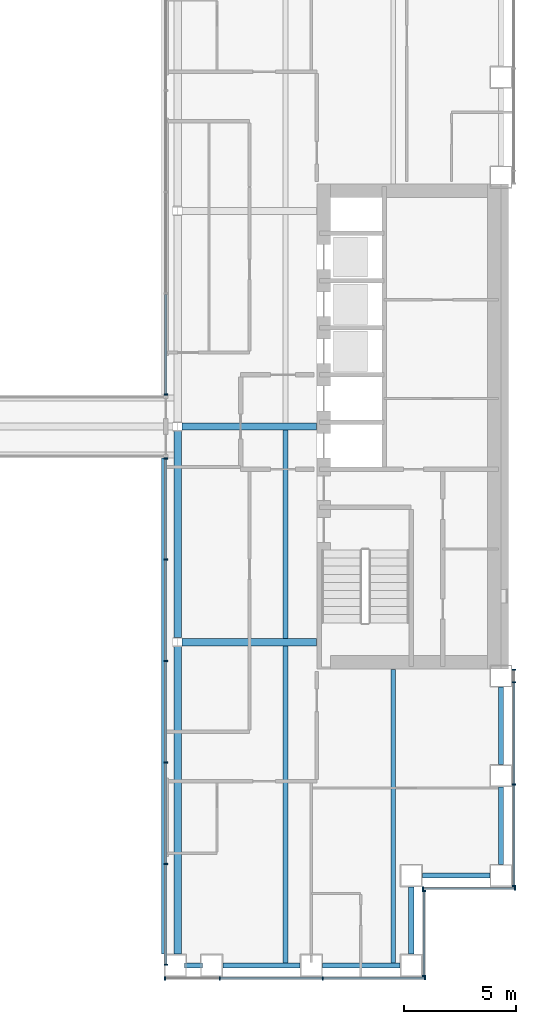
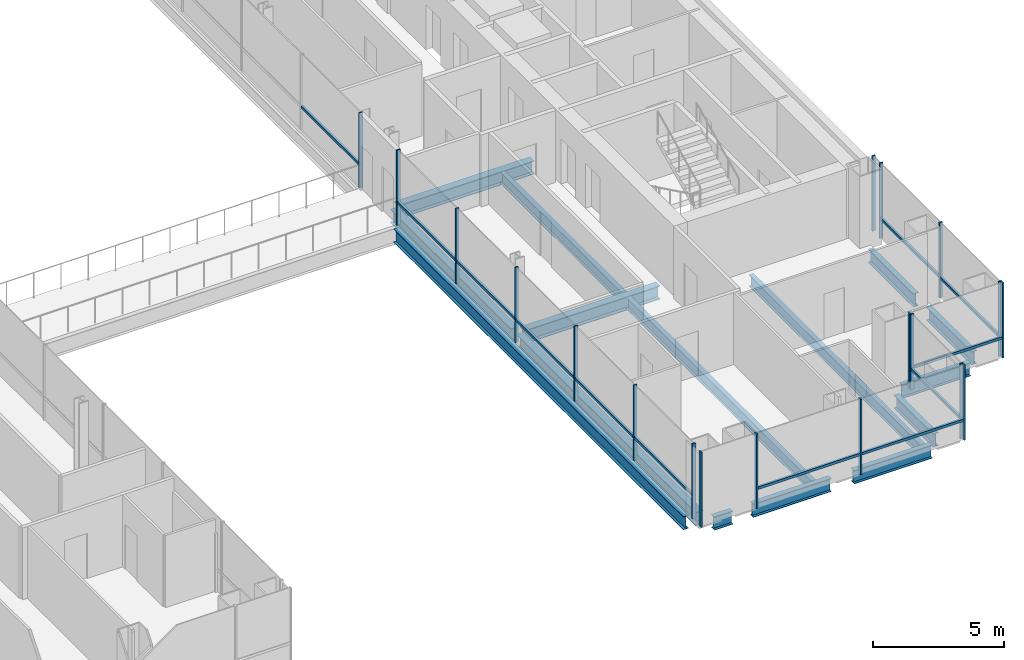
# One storey, part 4 of 19: 31 members, 15 beams, 6 elements without a shape of their own.
"""IFC4 building model written with IfcOpenShell, lengths in metres."""

from ifc_helpers import new_model, si_unit, direction, frame, origin, origin_2d, place, context, subcontext, project, spatial, rectangle, i_section, extrude, material, material_profile, profile_set, type_object, element, aggregate, save


model = new_model("IFC4")

# Units and contexts
model_context = context("Model", 3, precision=1e-05, world=origin(), true_north=direction((0.0, 1.0)))
body_context = subcontext(model_context, "Body", "Model", "MODEL_VIEW")
ifc_project = project(units=[si_unit("LENGTHUNIT", "METRE"), si_unit("AREAUNIT", "SQUARE_METRE"), si_unit("VOLUMEUNIT", "CUBIC_METRE"), si_unit("PLANEANGLEUNIT", "RADIAN"), si_unit("MASSUNIT", "GRAM", prefix="KILO")], contexts=[model_context])

# Site, building, storey
site_placement = place(None, origin())
site = spatial("IfcSite", under=ifc_project, at=site_placement, CompositionType="ELEMENT")
building_placement = place(site_placement, origin())
building = spatial("IfcBuilding", under=site, at=building_placement, Name="Cobrizo Arcos Hotel Tower", CompositionType="ELEMENT")
storey_placement = place(building_placement, frame((0.0, 0.0, 63.5)))
storey = spatial("IfcBuildingStorey", under=building, at=storey_placement, Name="L14", CompositionType="ELEMENT", Elevation=63.5)

# Curtain wall, members
ifc_material_1 = material(Name="Aluminium 6063-T6 anodised bronze", Category="aluminium")
curtain_wall_type_1 = type_object("IfcCurtainWallType", Name="CW-A guest facade", PredefinedType="NOTDEFINED", material=ifc_material_1)
curtain_wall_1_placement = place(storey_placement, origin())
curtain_wall_1 = element("IfcCurtainWall", 1, at=curtain_wall_1_placement, inside=storey, type_object=curtain_wall_type_1, Name="CW-A L14 S face", PredefinedType="NOTDEFINED")
ifc_material_profile_1 = material_profile(ifc_material_1, rectangle(XDim=0.14990234375, YDim=0.06005859375, at=origin_2d()), Name="CW-A mullion 150x60")
ifc_profile_set_1 = profile_set([ifc_material_profile_1], Name="Aluminium 6063-T6 anodised bronze")
member_type_1 = type_object("IfcMemberType", Name="CW-A mullion 150x60", PredefinedType="MULLION", material=ifc_profile_set_1)
member_1_placement = place(storey_placement, frame((9.030029296875, -24.574951171875, 0.0), z_axis=(0.0, 0.0, 1.0), x_axis=(0.0, -1.0, 0.0)))
member_1 = element("IfcMember", 2, at=member_1_placement, type_object=member_type_1, Name="CW-A mullion 1", PredefinedType="MULLION", context=body_context, shape_type="SweptSolid", body=[
    extrude(rectangle(XDim=0.14990234375, YDim=0.06005859375, at=origin_2d()), origin(), (0.0, 0.0, 1.0), 3.5),
])
member_2_placement = place(storey_placement, frame((11.47216796875, -24.574951171875, 0.0), z_axis=(0.0, 0.0, 1.0), x_axis=(0.0, -1.0, 0.0)))
member_2 = element("IfcMember", 3, at=member_2_placement, type_object=member_type_1, Name="CW-A mullion 2", PredefinedType="MULLION", context=body_context, shape_type="SweptSolid", body=[
    extrude(rectangle(XDim=0.14990234375, YDim=0.06005859375, at=origin_2d()), origin(), (0.0, 0.0, 1.0), 3.5),
])
member_3_placement = place(storey_placement, frame((16.06103515625, -24.574951171875, 0.0), z_axis=(0.0, 0.0, 1.0), x_axis=(0.0, -1.0, 0.0)))
member_3 = element("IfcMember", 4, at=member_3_placement, type_object=member_type_1, Name="CW-A mullion 3", PredefinedType="MULLION", context=body_context, shape_type="SweptSolid", body=[
    extrude(rectangle(XDim=0.14990234375, YDim=0.06005859375, at=origin_2d()), origin(), (0.0, 0.0, 1.0), 3.5),
])
member_4_placement = place(storey_placement, frame((20.6201171875, -24.574951171875, 0.0), z_axis=(0.0, 0.0, 1.0), x_axis=(0.0, -1.0, 0.0)))
member_4 = element("IfcMember", 5, at=member_4_placement, type_object=member_type_1, Name="CW-A mullion 4", PredefinedType="MULLION", context=body_context, shape_type="SweptSolid", body=[
    extrude(rectangle(XDim=0.14990234375, YDim=0.06005859375, at=origin_2d()), origin(), (0.0, 0.0, 1.0), 3.5),
])

curtain_wall_2_placement = place(storey_placement, origin())
curtain_wall_2 = element("IfcCurtainWall", 6, at=curtain_wall_2_placement, inside=storey, type_object=curtain_wall_type_1, Name="CW-A L14 E face", PredefinedType="NOTDEFINED")
member_5_placement = place(storey_placement, frame((20.574951171875, -24.469970703125, 0.0), z_axis=(0.0, 0.0, 1.0), x_axis=(1.0, 0.0, 0.0)))
member_5 = element("IfcMember", 7, at=member_5_placement, type_object=member_type_1, Name="CW-A mullion 1", PredefinedType="MULLION", context=body_context, shape_type="SweptSolid", body=[
    extrude(rectangle(XDim=0.14990234375, YDim=0.06005859375, at=origin_2d()), origin(), (0.0, 0.0, 1.0), 3.5),
])
member_6_placement = place(storey_placement, frame((20.574951171875, -20.679931640625, 0.0), z_axis=(0.0, 0.0, 1.0), x_axis=(1.0, 0.0, 0.0)))
member_6 = element("IfcMember", 8, at=member_6_placement, type_object=member_type_1, Name="CW-A mullion 2", PredefinedType="MULLION", context=body_context, shape_type="SweptSolid", body=[
    extrude(rectangle(XDim=0.14990234375, YDim=0.06005859375, at=origin_2d()), origin(), (0.0, 0.0, 1.0), 3.5),
])

curtain_wall_3_placement = place(storey_placement, origin())
curtain_wall_3 = element("IfcCurtainWall", 9, at=curtain_wall_3_placement, inside=storey, type_object=curtain_wall_type_1, Name="CW-A L14 S face", PredefinedType="NOTDEFINED")
member_7_placement = place(storey_placement, frame((20.530029296875, -20.574951171875, 0.0), z_axis=(0.0, 0.0, 1.0), x_axis=(0.0, -1.0, 0.0)))
member_7 = element("IfcMember", 10, at=member_7_placement, type_object=member_type_1, Name="CW-A mullion 1", PredefinedType="MULLION", context=body_context, shape_type="SweptSolid", body=[
    extrude(rectangle(XDim=0.14990234375, YDim=0.06005859375, at=origin_2d()), origin(), (0.0, 0.0, 1.0), 3.5),
])
member_8_placement = place(storey_placement, frame((24.6201171875, -20.574951171875, 0.0), z_axis=(0.0, 0.0, 1.0), x_axis=(0.0, -1.0, 0.0)))
member_8 = element("IfcMember", 11, at=member_8_placement, type_object=member_type_1, Name="CW-A mullion 2", PredefinedType="MULLION", context=body_context, shape_type="SweptSolid", body=[
    extrude(rectangle(XDim=0.14990234375, YDim=0.06005859375, at=origin_2d()), origin(), (0.0, 0.0, 1.0), 3.5),
])

curtain_wall_4_placement = place(storey_placement, origin())
curtain_wall_4 = element("IfcCurtainWall", 12, at=curtain_wall_4_placement, inside=storey, type_object=curtain_wall_type_1, Name="CW-A L14 E face", PredefinedType="NOTDEFINED")
member_9_placement = place(storey_placement, frame((24.574951171875, -20.469970703125, 0.0), z_axis=(0.0, 0.0, 1.0), x_axis=(1.0, 0.0, 0.0)))
member_9 = element("IfcMember", 13, at=member_9_placement, type_object=member_type_1, Name="CW-A mullion 1", PredefinedType="MULLION", context=body_context, shape_type="SweptSolid", body=[
    extrude(rectangle(XDim=0.14990234375, YDim=0.06005859375, at=origin_2d()), origin(), (0.0, 0.0, 1.0), 3.5),
])
member_10_placement = place(storey_placement, frame((24.574951171875, -15.9443359375, 0.0), z_axis=(0.0, 0.0, 1.0), x_axis=(1.0, 0.0, 0.0)))
member_10 = element("IfcMember", 14, at=member_10_placement, type_object=member_type_1, Name="CW-A mullion 2", PredefinedType="MULLION", context=body_context, shape_type="SweptSolid", body=[
    extrude(rectangle(XDim=0.14990234375, YDim=0.06005859375, at=origin_2d()), origin(), (0.0, 0.0, 1.0), 3.5),
])
member_11_placement = place(storey_placement, frame((24.574951171875, -11.388916015625, 0.0), z_axis=(0.0, 0.0, 1.0), x_axis=(1.0, 0.0, 0.0)))
member_11 = element("IfcMember", 15, at=member_11_placement, type_object=member_type_1, Name="CW-A mullion 3", PredefinedType="MULLION", context=body_context, shape_type="SweptSolid", body=[
    extrude(rectangle(XDim=0.14990234375, YDim=0.06005859375, at=origin_2d()), origin(), (0.0, 0.0, 1.0), 3.5),
])
member_12_placement = place(storey_placement, frame((24.574951171875, -10.830078125, 0.0), z_axis=(0.0, 0.0, 1.0), x_axis=(1.0, 0.0, 0.0)))
member_12 = element("IfcMember", 16, at=member_12_placement, type_object=member_type_1, Name="CW-A mullion 4", PredefinedType="MULLION", context=body_context, shape_type="SweptSolid", body=[
    extrude(rectangle(XDim=0.14990234375, YDim=0.06005859375, at=origin_2d()), origin(), (0.0, 0.0, 1.0), 3.5),
])

# Member
ifc_material_profile_2 = material_profile(ifc_material_1, rectangle(XDim=0.10009765625, YDim=0.1201171875, at=origin_2d()), Name="CW-A transom 120x100")
ifc_profile_set_2 = profile_set([ifc_material_profile_2], Name="Aluminium 6063-T6 anodised bronze")
member_type_2 = type_object("IfcMemberType", Name="CW-A transom 120x100", PredefinedType="USERDEFINED", material=ifc_profile_set_2)
member_13_placement = place(storey_placement, frame((11.502197265625, -24.574951171875, 0.929931640625), z_axis=(1.0, 0.0, 0.0), x_axis=(0.0, 1.0, 0.0)))
member_13 = element("IfcMember", 17, at=member_13_placement, type_object=member_type_2, Name="CW-A transom 625", ObjectType="TRANSOM", PredefinedType="USERDEFINED", context=body_context, shape_type="SweptSolid", body=[
    extrude(rectangle(XDim=0.10009765625, YDim=0.1201171875, at=origin_2d()), origin(), (0.0, 0.0, 1.0), 4.52880859375),
])

member_14_placement = place(storey_placement, frame((16.091064453125, -24.574951171875, 0.929931640625), z_axis=(1.0, 0.0, 0.0), x_axis=(0.0, 1.0, 0.0)))
member_14 = element("IfcMember", 18, at=member_14_placement, type_object=member_type_2, Name="CW-A transom 626", ObjectType="TRANSOM", PredefinedType="USERDEFINED", context=body_context, shape_type="SweptSolid", body=[
    extrude(rectangle(XDim=0.10009765625, YDim=0.1201171875, at=origin_2d()), origin(), (0.0, 0.0, 1.0), 4.4990234375),
])

aggregate(curtain_wall_1, [member_1, member_2, member_3, member_4, member_13, member_14])

member_15_placement = place(storey_placement, frame((20.574951171875, -24.43994140625, 0.929931640625), z_axis=(0.0, 1.0, 0.0), x_axis=(-1.0, 0.0, 0.0)))
member_15 = element("IfcMember", 19, at=member_15_placement, type_object=member_type_2, Name="CW-A transom 627", ObjectType="TRANSOM", PredefinedType="USERDEFINED", context=body_context, shape_type="SweptSolid", body=[
    extrude(rectangle(XDim=0.10009765625, YDim=0.1201171875, at=origin_2d()), origin(), (0.0, 0.0, 1.0), 3.72998046875),
])

aggregate(curtain_wall_2, [member_5, member_6, member_15])

member_16_placement = place(storey_placement, frame((20.56005859375, -20.574951171875, 0.929931640625), z_axis=(1.0, 0.0, 0.0), x_axis=(0.0, 1.0, 0.0)))
member_16 = element("IfcMember", 20, at=member_16_placement, type_object=member_type_2, Name="CW-A transom 628", ObjectType="TRANSOM", PredefinedType="USERDEFINED", context=body_context, shape_type="SweptSolid", body=[
    extrude(rectangle(XDim=0.10009765625, YDim=0.1201171875, at=origin_2d()), origin(), (0.0, 0.0, 1.0), 4.030029296875),
])

aggregate(curtain_wall_3, [member_7, member_8, member_16])

member_17_placement = place(storey_placement, frame((24.574951171875, -20.43994140625, 0.929931640625), z_axis=(0.0, 1.0, 0.0), x_axis=(-1.0, 0.0, 0.0)))
member_17 = element("IfcMember", 21, at=member_17_placement, type_object=member_type_2, Name="CW-A transom 629", ObjectType="TRANSOM", PredefinedType="USERDEFINED", context=body_context, shape_type="SweptSolid", body=[
    extrude(rectangle(XDim=0.10009765625, YDim=0.1201171875, at=origin_2d()), origin(), (0.0, 0.0, 1.0), 4.465576171875),
])

member_18_placement = place(storey_placement, frame((24.574951171875, -15.91455078125, 0.929931640625), z_axis=(0.0, 1.0, 0.0), x_axis=(-1.0, 0.0, 0.0)))
member_18 = element("IfcMember", 22, at=member_18_placement, type_object=member_type_2, Name="CW-A transom 630", ObjectType="TRANSOM", PredefinedType="USERDEFINED", context=body_context, shape_type="SweptSolid", body=[
    extrude(rectangle(XDim=0.10009765625, YDim=0.1201171875, at=origin_2d()), origin(), (0.0, 0.0, 1.0), 4.49560546875),
])

aggregate(curtain_wall_4, [member_9, member_10, member_11, member_12, member_17, member_18])

# Curtain wall, members
curtain_wall_type_2 = type_object("IfcCurtainWallType", Name="CW-F void screen", PredefinedType="NOTDEFINED", material=ifc_material_1)
curtain_wall_5_placement = place(storey_placement, origin())
curtain_wall_5 = element("IfcCurtainWall", 23, at=curtain_wall_5_placement, inside=storey, type_object=curtain_wall_type_2, Name="CW-F L14 void screen A", PredefinedType="NOTDEFINED")
ifc_material_profile_3 = material_profile(ifc_material_1, rectangle(XDim=0.14990234375, YDim=0.06005859375, at=origin_2d()), Name="CW-F mullion 150x60")
ifc_profile_set_3 = profile_set([ifc_material_profile_3], Name="Aluminium 6063-T6 anodised bronze")
member_type_3 = type_object("IfcMemberType", Name="CW-F mullion 150x60", PredefinedType="MULLION", material=ifc_profile_set_3)
member_19_placement = place(storey_placement, frame((9.074951171875, -23.969970703125, 0.0), z_axis=(0.0, 0.0, 1.0), x_axis=(1.0, 0.0, 0.0)))
member_19 = element("IfcMember", 24, at=member_19_placement, type_object=member_type_3, Name="CW-F mullion 1", PredefinedType="MULLION", context=body_context, shape_type="SweptSolid", body=[
    extrude(rectangle(XDim=0.14990234375, YDim=0.06005859375, at=origin_2d()), origin(), (0.0, 0.0, 1.0), 3.5),
])
member_20_placement = place(storey_placement, frame((9.074951171875, -19.47998046875, 0.0), z_axis=(0.0, 0.0, 1.0), x_axis=(1.0, 0.0, 0.0)))
member_20 = element("IfcMember", 25, at=member_20_placement, type_object=member_type_3, Name="CW-F mullion 2", PredefinedType="MULLION", context=body_context, shape_type="SweptSolid", body=[
    extrude(rectangle(XDim=0.14990234375, YDim=0.06005859375, at=origin_2d()), origin(), (0.0, 0.0, 1.0), 3.5),
])
member_21_placement = place(storey_placement, frame((9.074951171875, -14.9599609375, 0.0), z_axis=(0.0, 0.0, 1.0), x_axis=(1.0, 0.0, 0.0)))
member_21 = element("IfcMember", 26, at=member_21_placement, type_object=member_type_3, Name="CW-F mullion 3", PredefinedType="MULLION", context=body_context, shape_type="SweptSolid", body=[
    extrude(rectangle(XDim=0.14990234375, YDim=0.06005859375, at=origin_2d()), origin(), (0.0, 0.0, 1.0), 3.5),
])
member_22_placement = place(storey_placement, frame((9.074951171875, -10.43994140625, 0.0), z_axis=(0.0, 0.0, 1.0), x_axis=(1.0, 0.0, 0.0)))
member_22 = element("IfcMember", 27, at=member_22_placement, type_object=member_type_3, Name="CW-F mullion 4", PredefinedType="MULLION", context=body_context, shape_type="SweptSolid", body=[
    extrude(rectangle(XDim=0.14990234375, YDim=0.06005859375, at=origin_2d()), origin(), (0.0, 0.0, 1.0), 3.5),
])
member_23_placement = place(storey_placement, frame((9.074951171875, -5.919921875, 0.0), z_axis=(0.0, 0.0, 1.0), x_axis=(1.0, 0.0, 0.0)))
member_23 = element("IfcMember", 28, at=member_23_placement, type_object=member_type_3, Name="CW-F mullion 5", PredefinedType="MULLION", context=body_context, shape_type="SweptSolid", body=[
    extrude(rectangle(XDim=0.14990234375, YDim=0.06005859375, at=origin_2d()), origin(), (0.0, 0.0, 1.0), 3.5),
])
member_24_placement = place(storey_placement, frame((9.074951171875, -1.429931640625, 0.0), z_axis=(0.0, 0.0, 1.0), x_axis=(1.0, 0.0, 0.0)))
member_24 = element("IfcMember", 29, at=member_24_placement, type_object=member_type_3, Name="CW-F mullion 6", PredefinedType="MULLION", context=body_context, shape_type="SweptSolid", body=[
    extrude(rectangle(XDim=0.14990234375, YDim=0.06005859375, at=origin_2d()), origin(), (0.0, 0.0, 1.0), 3.5),
])

# Curtain wall, member
curtain_wall_6_placement = place(storey_placement, origin())
curtain_wall_6 = element("IfcCurtainWall", 30, at=curtain_wall_6_placement, inside=storey, type_object=curtain_wall_type_2, Name="CW-F L14 void screen A", PredefinedType="NOTDEFINED")
member_25_placement = place(storey_placement, frame((9.074951171875, 1.429931640625, 0.0), z_axis=(0.0, 0.0, 1.0), x_axis=(1.0, 0.0, 0.0)))
member_25 = element("IfcMember", 31, at=member_25_placement, type_object=member_type_3, Name="CW-F mullion 1", PredefinedType="MULLION", context=body_context, shape_type="SweptSolid", body=[
    extrude(rectangle(XDim=0.14990234375, YDim=0.06005859375, at=origin_2d()), origin(), (0.0, 0.0, 1.0), 3.5),
])

# Member
ifc_material_profile_4 = material_profile(ifc_material_1, rectangle(XDim=0.10009765625, YDim=0.1201171875, at=origin_2d()), Name="CW-F transom 120x100")
ifc_profile_set_4 = profile_set([ifc_material_profile_4], Name="Aluminium 6063-T6 anodised bronze")
member_type_4 = type_object("IfcMemberType", Name="CW-F transom 120x100", PredefinedType="USERDEFINED", material=ifc_profile_set_4)
member_26_placement = place(storey_placement, frame((9.074951171875, -23.93994140625, 1.050048828125), z_axis=(0.0, 1.0, 0.0), x_axis=(-1.0, 0.0, 0.0)))
member_26 = element("IfcMember", 32, at=member_26_placement, type_object=member_type_4, Name="CW-F transom 2448", ObjectType="TRANSOM", PredefinedType="USERDEFINED", context=body_context, shape_type="SweptSolid", body=[
    extrude(rectangle(XDim=0.10009765625, YDim=0.1201171875, at=origin_2d()), origin(), (0.0, 0.0, 1.0), 4.429931640625),
])

member_27_placement = place(storey_placement, frame((9.074951171875, -19.449951171875, 1.050048828125), z_axis=(0.0, 1.0, 0.0), x_axis=(-1.0, 0.0, 0.0)))
member_27 = element("IfcMember", 33, at=member_27_placement, type_object=member_type_4, Name="CW-F transom 2449", ObjectType="TRANSOM", PredefinedType="USERDEFINED", context=body_context, shape_type="SweptSolid", body=[
    extrude(rectangle(XDim=0.10009765625, YDim=0.1201171875, at=origin_2d()), origin(), (0.0, 0.0, 1.0), 4.4599609375),
])

member_28_placement = place(storey_placement, frame((9.074951171875, -14.929931640625, 1.050048828125), z_axis=(0.0, 1.0, 0.0), x_axis=(-1.0, 0.0, 0.0)))
member_28 = element("IfcMember", 34, at=member_28_placement, type_object=member_type_4, Name="CW-F transom 2450", ObjectType="TRANSOM", PredefinedType="USERDEFINED", context=body_context, shape_type="SweptSolid", body=[
    extrude(rectangle(XDim=0.10009765625, YDim=0.1201171875, at=origin_2d()), origin(), (0.0, 0.0, 1.0), 4.4599609375),
])

member_29_placement = place(storey_placement, frame((9.074951171875, -10.409912109375, 1.050048828125), z_axis=(0.0, 1.0, 0.0), x_axis=(-1.0, 0.0, 0.0)))
member_29 = element("IfcMember", 35, at=member_29_placement, type_object=member_type_4, Name="CW-F transom 2451", ObjectType="TRANSOM", PredefinedType="USERDEFINED", context=body_context, shape_type="SweptSolid", body=[
    extrude(rectangle(XDim=0.10009765625, YDim=0.1201171875, at=origin_2d()), origin(), (0.0, 0.0, 1.0), 4.4599609375),
])

member_30_placement = place(storey_placement, frame((9.074951171875, -5.889892578125, 1.050048828125), z_axis=(0.0, 1.0, 0.0), x_axis=(-1.0, 0.0, 0.0)))
member_30 = element("IfcMember", 36, at=member_30_placement, type_object=member_type_4, Name="CW-F transom 2452", ObjectType="TRANSOM", PredefinedType="USERDEFINED", context=body_context, shape_type="SweptSolid", body=[
    extrude(rectangle(XDim=0.10009765625, YDim=0.1201171875, at=origin_2d()), origin(), (0.0, 0.0, 1.0), 4.429931640625),
])

aggregate(curtain_wall_5, [member_19, member_20, member_21, member_22, member_23, member_24, member_26, member_27, member_28, member_29, member_30])

member_31_placement = place(storey_placement, frame((9.074951171875, 1.4599609375, 1.050048828125), z_axis=(0.0, 1.0, 0.0), x_axis=(-1.0, 0.0, 0.0)))
member_31 = element("IfcMember", 37, at=member_31_placement, type_object=member_type_4, Name="CW-F transom 2453", ObjectType="TRANSOM", PredefinedType="USERDEFINED", context=body_context, shape_type="SweptSolid", body=[
    extrude(rectangle(XDim=0.10009765625, YDim=0.1201171875, at=origin_2d()), origin(), (0.0, 0.0, 1.0), 4.429931640625),
])

aggregate(curtain_wall_6, [member_25, member_31])

# Beams
ifc_material_2 = material(Name="Steel ASTM A992 Grade 50", Category="steel")
ifc_material_profile_5 = material_profile(ifc_material_2, i_section(OverallWidth=0.209228515625, OverallDepth=0.533447265625, WebThickness=0.01025390625, FlangeThickness=0.015625, at=origin_2d()), Name="W21X62")
ifc_profile_set_5 = profile_set([ifc_material_profile_5], Name="Steel ASTM A992 Grade 50")
beam_type_1 = type_object("IfcBeamType", Name="W21X62 joist", PredefinedType="JOIST", material=ifc_profile_set_5)
beam_1_placement = place(storey_placement, frame((14.39990234375, -23.909912109375, -0.416748046875), z_axis=(0.0, 1.0, 0.0), x_axis=(-1.0, 0.0, 0.0)))
element("IfcBeam", 38, at=beam_1_placement, inside=storey, type_object=beam_type_1, Name="Floor joist J1, L14, no. 007", PredefinedType="JOIST", context=body_context, shape_type="SweptSolid", body=[
    extrude(i_section(OverallWidth=0.209228515625, OverallDepth=0.533447265625, WebThickness=0.01025390625, FlangeThickness=0.015625, at=origin_2d()), origin(), (0.0, 0.0, 1.0), 14.14599609375),
])
beam_2_placement = place(storey_placement, frame((14.39990234375, -9.43603515625, -0.416748046875), z_axis=(0.0, 1.0, 0.0), x_axis=(-1.0, 0.0, 0.0)))
element("IfcBeam", 39, at=beam_2_placement, inside=storey, type_object=beam_type_1, Name="Floor joist J1, L14, no. 008", PredefinedType="JOIST", context=body_context, shape_type="SweptSolid", body=[
    extrude(i_section(OverallWidth=0.209228515625, OverallDepth=0.533447265625, WebThickness=0.01025390625, FlangeThickness=0.015625, at=origin_2d()), origin(), (0.0, 0.0, 1.0), 9.272216796875),
])
beam_3_placement = place(storey_placement, frame((19.199951171875, -23.909912109375, -0.416748046875), z_axis=(0.0, 1.0, 0.0), x_axis=(-1.0, 0.0, 0.0)))
element("IfcBeam", 40, at=beam_3_placement, inside=storey, type_object=beam_type_1, Name="Floor joist J1, L14, no. 011", PredefinedType="JOIST", context=body_context, shape_type="SweptSolid", body=[
    extrude(i_section(OverallWidth=0.209228515625, OverallDepth=0.533447265625, WebThickness=0.01025390625, FlangeThickness=0.015625, at=origin_2d()), origin(), (0.0, 0.0, 1.0), 13.099853515625),
])
ifc_material_profile_6 = material_profile(ifc_material_2, i_section(OverallWidth=0.32763671875, OverallDepth=0.622314453125, WebThickness=0.015380859375, FlangeThickness=0.0244140625, at=origin_2d()), Name="W24X131")
ifc_profile_set_6 = profile_set([ifc_material_profile_6], Name="Steel ASTM A992 Grade 50")
beam_type_2 = type_object("IfcBeamType", Name="W24X131 girder", PredefinedType="BEAM", material=ifc_profile_set_6)
for number, where, z_axis, x_axis, name in (
    (41, (9.804443359375, -9.60009765625, -0.461181640625), (1.0, 0.0, 0.0), (0.0, 1.0, 0.0), "Floor girder G1, L14, no. 002"),
    (42, (9.804443359375, 0.0, -0.461181640625), (1.0, 0.0, 0.0), (0.0, 1.0, 0.0), "Floor girder G1, L14, no. 005"),
):
    element("IfcBeam", number, at=place(storey_placement, frame(where, z_axis=z_axis, x_axis=x_axis)), inside=storey, type_object=beam_type_2, Name=name, PredefinedType="BEAM", context=body_context, shape_type="SweptSolid", body=[
        extrude(i_section(OverallWidth=0.32763671875, OverallDepth=0.622314453125, WebThickness=0.015380859375, FlangeThickness=0.0244140625, at=origin_2d()), origin(), (0.0, 0.0, 1.0), 5.985595703125),
    ])
beam_4_placement = place(storey_placement, frame((9.60009765625, -23.5, -0.461181640625), z_axis=(0.0, 1.0, 0.0), x_axis=(-1.0, 0.0, 0.0)))
element("IfcBeam", 43, at=beam_4_placement, inside=storey, type_object=beam_type_2, Name="Floor girder G1, L14, no. 012", PredefinedType="BEAM", context=body_context, shape_type="SweptSolid", body=[
    extrude(i_section(OverallWidth=0.32763671875, OverallDepth=0.622314453125, WebThickness=0.015380859375, FlangeThickness=0.0244140625, at=origin_2d()), origin(), (0.0, 0.0, 1.0), 13.695556640625),
])
beam_5_placement = place(storey_placement, frame((9.60009765625, -9.3955078125, -0.461181640625), z_axis=(0.0, 1.0, 0.0), x_axis=(-1.0, 0.0, 0.0)))
element("IfcBeam", 44, at=beam_5_placement, inside=storey, type_object=beam_type_2, Name="Floor girder G1, L14, no. 013", PredefinedType="BEAM", context=body_context, shape_type="SweptSolid", body=[
    extrude(i_section(OverallWidth=0.32763671875, OverallDepth=0.622314453125, WebThickness=0.015380859375, FlangeThickness=0.0244140625, at=origin_2d()), origin(), (0.0, 0.0, 1.0), 9.191162109375),
])
ifc_material_profile_7 = material_profile(ifc_material_2, i_section(OverallWidth=0.23046875, OverallDepth=0.6171875, WebThickness=0.01318359375, FlangeThickness=0.022216796875, at=origin_2d()), Name="W24X94")
ifc_profile_set_7 = profile_set([ifc_material_profile_7], Name="Steel ASTM A992 Grade 50")
beam_type_3 = type_object("IfcBeamType", Name="W24X94 spandrel", PredefinedType="SPANDREL", material=ifc_profile_set_7)
beam_6_placement = place(storey_placement, frame((24.0, -11.611083984375, -0.45849609375), z_axis=(0.0, -1.0, 0.0), x_axis=(1.0, 0.0, 0.0)))
element("IfcBeam", 45, at=beam_6_placement, inside=storey, type_object=beam_type_3, Name="Spandrel beam W24X94, L14, no. 004", PredefinedType="SPANDREL", context=body_context, shape_type="SweptSolid", body=[
    extrude(i_section(OverallWidth=0.23046875, OverallDepth=0.6171875, WebThickness=0.01318359375, FlangeThickness=0.022216796875, at=origin_2d()), origin(), (0.0, 0.0, 1.0), 3.44482421875),
])
beam_7_placement = place(storey_placement, frame((24.0, -16.055908203125, -0.45849609375), z_axis=(0.0, -1.0, 0.0), x_axis=(1.0, 0.0, 0.0)))
element("IfcBeam", 46, at=beam_7_placement, inside=storey, type_object=beam_type_3, Name="Spandrel beam W24X94, L14, no. 005", PredefinedType="SPANDREL", context=body_context, shape_type="SweptSolid", body=[
    extrude(i_section(OverallWidth=0.23046875, OverallDepth=0.6171875, WebThickness=0.01318359375, FlangeThickness=0.022216796875, at=origin_2d()), origin(), (0.0, 0.0, 1.0), 3.444091796875),
])
for number, where, z_axis, x_axis, name in (
    (47, (23.5, -20.0, -0.45849609375), (-1.0, 0.0, 0.0), (0.0, -1.0, 0.0), "Spandrel beam W24X94, L14, no. 006"),
    (48, (20.0, -20.5, -0.45849609375), (0.0, -1.0, 0.0), (1.0, 0.0, 0.0), "Spandrel beam W24X94, L14, no. 007"),
):
    element("IfcBeam", number, at=place(storey_placement, frame(where, z_axis=z_axis, x_axis=x_axis)), inside=storey, type_object=beam_type_3, Name=name, PredefinedType="SPANDREL", context=body_context, shape_type="SweptSolid", body=[
        extrude(i_section(OverallWidth=0.23046875, OverallDepth=0.6171875, WebThickness=0.01318359375, FlangeThickness=0.022216796875, at=origin_2d()), origin(), (0.0, 0.0, 1.0), 3.0),
    ])
beam_8_placement = place(storey_placement, frame((19.5, -24.0, -0.45849609375), z_axis=(-1.0, 0.0, 0.0), x_axis=(0.0, -1.0, 0.0)))
element("IfcBeam", 49, at=beam_8_placement, inside=storey, type_object=beam_type_3, Name="Spandrel beam W24X94, L14, no. 008", PredefinedType="SPANDREL", context=body_context, shape_type="SweptSolid", body=[
    extrude(i_section(OverallWidth=0.23046875, OverallDepth=0.6171875, WebThickness=0.01318359375, FlangeThickness=0.022216796875, at=origin_2d()), origin(), (0.0, 0.0, 1.0), 3.444091796875),
])
beam_9_placement = place(storey_placement, frame((15.055908203125, -24.0, -0.45849609375), z_axis=(-1.0, 0.0, 0.0), x_axis=(0.0, -1.0, 0.0)))
element("IfcBeam", 50, at=beam_9_placement, inside=storey, type_object=beam_type_3, Name="Spandrel beam W24X94, L14, no. 009", PredefinedType="SPANDREL", context=body_context, shape_type="SweptSolid", body=[
    extrude(i_section(OverallWidth=0.23046875, OverallDepth=0.6171875, WebThickness=0.01318359375, FlangeThickness=0.022216796875, at=origin_2d()), origin(), (0.0, 0.0, 1.0), 3.44482421875),
])
beam_10_placement = place(storey_placement, frame((10.7109375, -24.0, -0.45849609375), z_axis=(-1.0, 0.0, 0.0), x_axis=(0.0, -1.0, 0.0)))
element("IfcBeam", 51, at=beam_10_placement, inside=storey, type_object=beam_type_3, Name="Spandrel beam W24X94, L14, no. 010", PredefinedType="SPANDREL", context=body_context, shape_type="SweptSolid", body=[
    extrude(i_section(OverallWidth=0.23046875, OverallDepth=0.6171875, WebThickness=0.01318359375, FlangeThickness=0.022216796875, at=origin_2d()), origin(), (0.0, 0.0, 1.0), 0.81103515625),
])
beam_11_placement = place(storey_placement, frame((9.0, -23.5, -0.45849609375), z_axis=(0.0, 1.0, 0.0), x_axis=(-1.0, 0.0, 0.0)))
element("IfcBeam", 52, at=beam_11_placement, inside=storey, type_object=beam_type_3, Name="Spandrel beam W24X94, L14, no. 011", PredefinedType="SPANDREL", context=body_context, shape_type="SweptSolid", body=[
    extrude(i_section(OverallWidth=0.23046875, OverallDepth=0.6171875, WebThickness=0.01318359375, FlangeThickness=0.022216796875, at=origin_2d()), origin(), (0.0, 0.0, 1.0), 22.10009765625),
])

save(model, "model.ifc")
